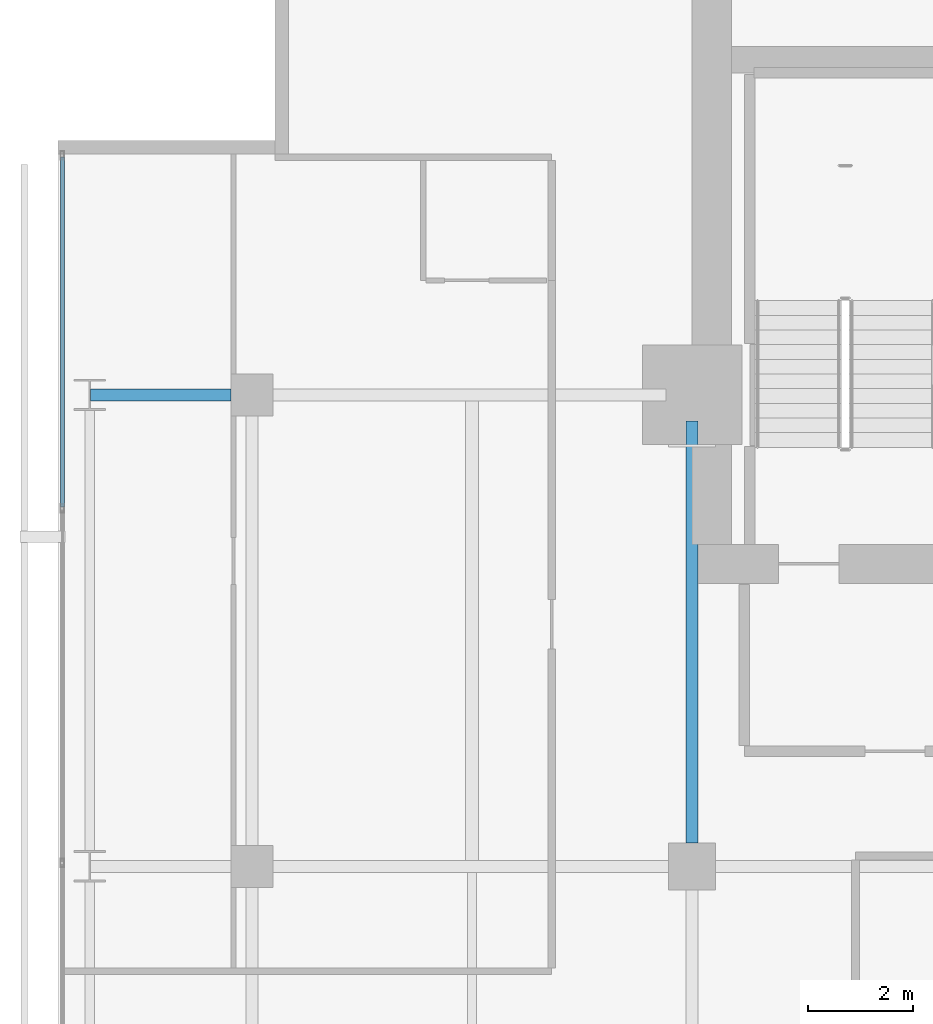
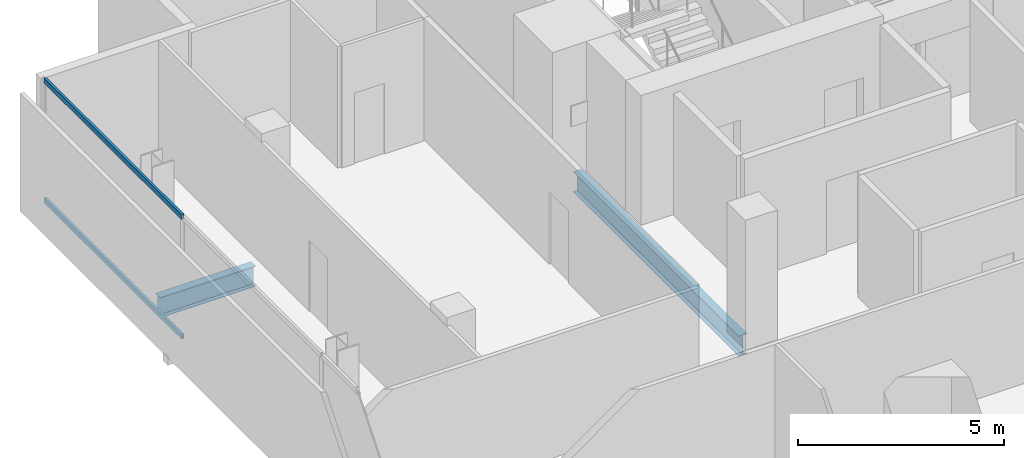
# One storey, part 19 of 32: 2 beams, 2 members, 1 element without a shape of its own.
"""IFC4 building model written with IfcOpenShell, lengths in metres."""

from ifc_helpers import new_model, si_unit, direction, frame, origin, origin_2d, place, context, subcontext, project, spatial, hollow_rectangle, i_section, extrude, material, layer, layer_set, material_profile, profile_set, type_object, element, aggregate, save


model = new_model("IFC4")

# Units and contexts
model_context = context("Model", 3, precision=1e-05, world=origin(), true_north=direction((0.0, 1.0)))
body_context = subcontext(model_context, "Body", "Model", "MODEL_VIEW")
ifc_project = project(units=[si_unit("LENGTHUNIT", "METRE"), si_unit("AREAUNIT", "SQUARE_METRE"), si_unit("VOLUMEUNIT", "CUBIC_METRE"), si_unit("PLANEANGLEUNIT", "RADIAN"), si_unit("MASSUNIT", "GRAM", prefix="KILO")], contexts=[model_context])

# Site, building, storey
site_placement = place(None, origin())
site = spatial("IfcSite", under=ifc_project, at=site_placement, CompositionType="ELEMENT")
building_placement = place(site_placement, origin())
building = spatial("IfcBuilding", under=site, at=building_placement, Name="Maruvema Waterfront Hotel and Observation Tower", CompositionType="ELEMENT")
storey_placement = place(building_placement, frame((0.0, 0.0, 162.050048828125)))
storey = spatial("IfcBuildingStorey", under=building, at=storey_placement, Name="L39", CompositionType="ELEMENT", Elevation=162.050048828125)

# Curtain wall, members
ifc_material_1 = material(Name="Anodised bronze aluminium and solar-control low-E IGU", Category="aluminium")
ifc_layer = layer(ifc_material_1, 0.159912109375, Name="Zone 2 Amber Inner Thermal Curtain Wall System CW-03")
ifc_layer_set = layer_set([ifc_layer], Name="Anodised bronze aluminium and solar-control low-E IGU")
curtain_wall_type = type_object("IfcCurtainWallType", Name="Zone 2 Amber Inner Thermal Curtain Wall System CW-03", PredefinedType="USERDEFINED", material=ifc_layer_set)
curtain_wall_placement = place(storey_placement, origin())
curtain_wall = element("IfcCurtainWall", 1, at=curtain_wall_placement, inside=storey, type_object=curtain_wall_type, Name="L39 Curtain Wall CW-L39-W", ObjectType="UNITISED CURTAIN WALL", PredefinedType="USERDEFINED")
ifc_material_2 = material(Name="Anodised architectural bronze aluminium", Category="aluminium")
ifc_material_profile_1 = material_profile(ifc_material_2, hollow_rectangle(XDim=0.070068359375, YDim=0.14990234375, WallThickness=0.00390625, at=origin_2d()), Name="ALU-T70x150")
ifc_profile_set_1 = profile_set([ifc_material_profile_1], Name="Anodised architectural bronze aluminium")
member_type = type_object("IfcMemberType", Name="Curtain Wall Horizontal Transom ALU-T70x150", PredefinedType="USERDEFINED", material=ifc_profile_set_1)
member_1_placement = place(storey_placement, frame((13.179931640625, 49.5400390625, 0.030029296875), z_axis=(0.0, -1.0, 0.0), x_axis=(1.0, 0.0, 0.0)))
member_1 = element("IfcMember", 2, at=member_1_placement, type_object=member_type, Name="CW-03 transom 1.1", ObjectType="TRANSOM", PredefinedType="USERDEFINED", context=body_context, shape_type="SweptSolid", body=[
    extrude(hollow_rectangle(XDim=0.070068359375, YDim=0.14990234375, WallThickness=0.00390625, at=origin_2d()), origin(), (0.0, 0.0, 1.0), 6.6767578125),
])
member_2_placement = place(storey_placement, frame((13.179931640625, 49.5400390625, 3.579833984375), z_axis=(0.0, -1.0, 0.0), x_axis=(1.0, 0.0, 0.0)))
member_2 = element("IfcMember", 3, at=member_2_placement, type_object=member_type, Name="CW-03 transom 1.2", ObjectType="TRANSOM", PredefinedType="USERDEFINED", context=body_context, shape_type="SweptSolid", body=[
    extrude(hollow_rectangle(XDim=0.070068359375, YDim=0.14990234375, WallThickness=0.00390625, at=origin_2d()), origin(), (0.0, 0.0, 1.0), 6.6767578125),
])
aggregate(curtain_wall, [member_1, member_2])

# Beams
ifc_material_3 = material(Name="Steel ASTM A572 Grade 50", Category="steel")
ifc_material_profile_2 = material_profile(ifc_material_3, i_section(OverallWidth=0.22802734375, OverallDepth=0.60302734375, WebThickness=0.010498046875, FlangeThickness=0.014892578125, FilletRadius=0.01806640625, at=origin_2d()), Name="W610x101.0")
ifc_profile_set_2 = profile_set([ifc_material_profile_2], Name="Steel ASTM A572 Grade 50")
beam_type = type_object("IfcBeamType", Name="Primary Floor Girder W610x101.0", PredefinedType="BEAM", material=ifc_profile_set_2)
beam_1_placement = place(storey_placement, frame((13.71240234375, 45.0, -0.54150390625), z_axis=(1.0, 0.0, 0.0), x_axis=(0.0, 1.0, 0.0)))
element("IfcBeam", 4, at=beam_1_placement, inside=storey, type_object=beam_type, Name="L39 Floor Girder EW-30", PredefinedType="BEAM", context=body_context, shape_type="SweptSolid", body=[
    extrude(i_section(OverallWidth=0.22802734375, OverallDepth=0.60302734375, WebThickness=0.010498046875, FlangeThickness=0.014892578125, FilletRadius=0.01806640625, at=origin_2d()), origin(), (0.0, 0.0, 1.0), 2.6875),
])
beam_2_placement = place(storey_placement, frame((25.199951171875, 36.449951171875, -0.54150390625), z_axis=(0.0, 1.0, 0.0), x_axis=(-1.0, 0.0, 0.0)))
element("IfcBeam", 5, at=beam_2_placement, inside=storey, type_object=beam_type, Name="L39 Floor Girder NS-13", PredefinedType="BEAM", context=body_context, shape_type="SweptSolid", body=[
    extrude(i_section(OverallWidth=0.22802734375, OverallDepth=0.60302734375, WebThickness=0.010498046875, FlangeThickness=0.014892578125, FilletRadius=0.01806640625, at=origin_2d()), origin(), (0.0, 0.0, 1.0), 8.050048828125),
])

save(model, "model.ifc")
